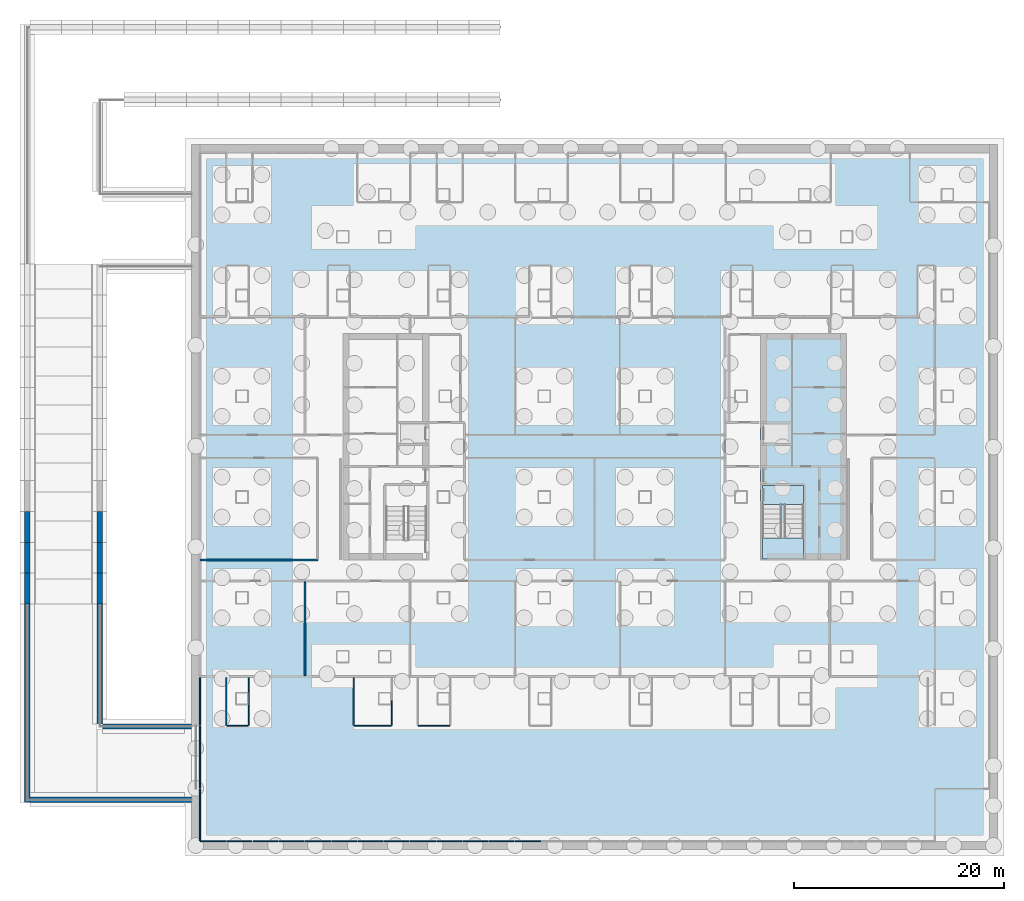
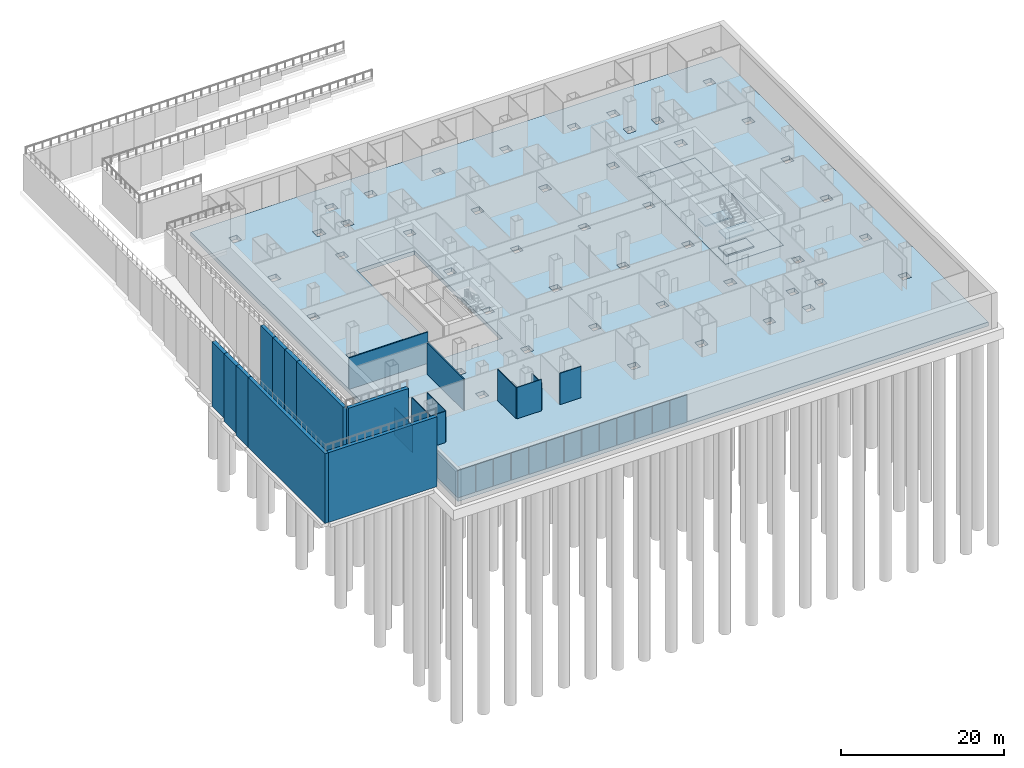
# One storey, part 4 of 17: 35 walls, 5 slabs, 1 element without a shape of its own.
"""IFC4 building model written with IfcOpenShell, lengths in metres."""

from ifc_helpers import new_model, si_unit, direction, frame, frame_2d, origin, place, context, subcontext, project, spatial, polyline, rectangle, outline, extrude, material, layer, layer_set, type_object, element, aggregate, save


model = new_model("IFC4")

# Units and contexts
model_context = context("Model", 3, precision=1e-05, world=origin(), true_north=direction((0.0, 1.0)))
body_context = subcontext(model_context, "Body", "Model", "MODEL_VIEW")
ifc_project = project(units=[si_unit("LENGTHUNIT", "METRE"), si_unit("AREAUNIT", "SQUARE_METRE"), si_unit("VOLUMEUNIT", "CUBIC_METRE"), si_unit("PLANEANGLEUNIT", "RADIAN"), si_unit("MASSUNIT", "GRAM", prefix="KILO")], contexts=[model_context])

# Site, building, storey
site_placement = place(None, origin())
site = spatial("IfcSite", under=ifc_project, at=site_placement, CompositionType="ELEMENT")
building_placement = place(site_placement, origin())
building = spatial("IfcBuilding", under=site, at=building_placement, Name="Cobrizo Arcos Hotel Tower", CompositionType="ELEMENT")
storey_placement = place(building_placement, frame((0.0, 0.0, -10.0)))
storey = spatial("IfcBuildingStorey", under=building, at=storey_placement, Name="B2", CompositionType="ELEMENT", Elevation=-10.0)

# Slabs
ifc_material_1 = material(Name="Concrete f'c 35 MPa", Category="concrete")
ifc_layer_1 = layer(ifc_material_1, 0.60009765625)
ifc_layer_set_1 = layer_set([ifc_layer_1], Name="RC base slab 600 f'c 35 MPa")
slab_type_1 = type_object("IfcSlabType", Name="RC base slab 600 f'c 35 MPa", PredefinedType="BASESLAB", material=ifc_layer_set_1)
slab_1_placement = place(storey_placement, frame((0.0, 0.0, -0.60009765625)))
element("IfcSlab", 1, at=slab_1_placement, inside=storey, type_object=slab_type_1, Name="Floor slab S1, B2, no. 01", PredefinedType="BASESLAB", context=body_context, shape_type="SweptSolid", body=[
    extrude(outline(polyline([(-37.60009765625, -37.60009765625), (-37.60009765625, 28.0), (37.60009765625, 28.0), (37.60009765625, -37.60009765625), (-37.60009765625, -37.60009765625)]), holes=[polyline([(-33.0, -24.60009765625), (-33.0, -23.39990234375), (-34.199951171875, -23.39990234375), (-34.199951171875, -24.60009765625), (-33.0, -24.60009765625)]), polyline([(-20.60009765625, -24.60009765625), (-19.39990234375, -24.60009765625), (-19.39990234375, -23.39990234375), (-20.60009765625, -23.39990234375), (-20.60009765625, -24.60009765625)]), polyline([(-20.60009765625, -20.60009765625), (-19.39990234375, -20.60009765625), (-19.39990234375, -19.39990234375), (-20.60009765625, -19.39990234375), (-20.60009765625, -20.60009765625)]), polyline([(-23.39990234375, -20.60009765625), (-23.39990234375, -19.39990234375), (-24.60009765625, -19.39990234375), (-24.60009765625, -20.60009765625), (-23.39990234375, -20.60009765625)]), polyline([(-34.199951171875, -15.0), (-33.0, -15.0), (-33.0, -13.800048828125), (-34.199951171875, -13.800048828125), (-34.199951171875, -15.0)]), polyline([(-15.0, -15.0), (-13.800048828125, -15.0), (-13.800048828125, -13.800048828125), (-15.0, -13.800048828125), (-15.0, -15.0)]), polyline([(-23.39990234375, -15.0), (-23.39990234375, -13.800048828125), (-24.60009765625, -13.800048828125), (-24.60009765625, -15.0), (-23.39990234375, -15.0)]), polyline([(-15.0, -5.39990234375), (-13.800048828125, -5.39990234375), (-13.800048828125, -4.199951171875), (-15.0, -4.199951171875), (-15.0, -5.39990234375)]), polyline([(-34.199951171875, -5.39990234375), (-33.0, -5.39990234375), (-33.0, -4.199951171875), (-34.199951171875, -4.199951171875), (-34.199951171875, -5.39990234375)]), polyline([(-24.0, -10.800048828125), (-15.800048828125, -10.800048828125), (-15.800048828125, 10.800048828125), (-24.0, 10.800048828125), (-24.0, -10.800048828125)]), polyline([(-34.199951171875, 4.199951171875), (-33.0, 4.199951171875), (-33.0, 5.39990234375), (-34.199951171875, 5.39990234375), (-34.199951171875, 4.199951171875)]), polyline([(-24.60009765625, 13.800048828125), (-23.39990234375, 13.800048828125), (-23.39990234375, 15.0), (-24.60009765625, 15.0), (-24.60009765625, 13.800048828125)]), polyline([(-34.199951171875, 13.800048828125), (-33.0, 13.800048828125), (-33.0, 15.0), (-34.199951171875, 15.0), (-34.199951171875, 13.800048828125)]), polyline([(-13.800048828125, 13.800048828125), (-13.800048828125, 15.0), (-15.0, 15.0), (-15.0, 13.800048828125), (-13.800048828125, 13.800048828125)]), polyline([(-24.60009765625, 19.39990234375), (-23.39990234375, 19.39990234375), (-23.39990234375, 20.60009765625), (-24.60009765625, 20.60009765625), (-24.60009765625, 19.39990234375)]), polyline([(-20.60009765625, 19.39990234375), (-19.39990234375, 19.39990234375), (-19.39990234375, 20.60009765625), (-20.60009765625, 20.60009765625), (-20.60009765625, 19.39990234375)]), polyline([(-34.199951171875, 23.39990234375), (-33.0, 23.39990234375), (-33.0, 24.60009765625), (-34.199951171875, 24.60009765625), (-34.199951171875, 23.39990234375)]), polyline([(-20.60009765625, 23.39990234375), (-19.39990234375, 23.39990234375), (-19.39990234375, 24.60009765625), (-20.60009765625, 24.60009765625), (-20.60009765625, 23.39990234375)]), polyline([(-15.0, -24.60009765625), (-13.800048828125, -24.60009765625), (-13.800048828125, -23.39990234375), (-15.0, -23.39990234375), (-15.0, -24.60009765625)]), polyline([(4.199951171875, -24.60009765625), (5.39990234375, -24.60009765625), (5.39990234375, -23.39990234375), (4.199951171875, -23.39990234375), (4.199951171875, -24.60009765625)]), polyline([(-4.199951171875, -24.60009765625), (-4.199951171875, -23.39990234375), (-5.39990234375, -23.39990234375), (-5.39990234375, -24.60009765625), (-4.199951171875, -24.60009765625)]), polyline([(13.800048828125, -15.0), (15.0, -15.0), (15.0, -13.800048828125), (13.800048828125, -13.800048828125), (13.800048828125, -15.0)]), polyline([(4.199951171875, -15.0), (5.39990234375, -15.0), (5.39990234375, -13.800048828125), (4.199951171875, -13.800048828125), (4.199951171875, -15.0)]), polyline([(-5.39990234375, -15.0), (-4.199951171875, -15.0), (-4.199951171875, -13.800048828125), (-5.39990234375, -13.800048828125), (-5.39990234375, -15.0)]), polyline([(-5.39990234375, -5.39990234375), (-4.199951171875, -5.39990234375), (-4.199951171875, -4.199951171875), (-5.39990234375, -4.199951171875), (-5.39990234375, -5.39990234375)]), polyline([(4.199951171875, -5.39990234375), (5.39990234375, -5.39990234375), (5.39990234375, -4.199951171875), (4.199951171875, -4.199951171875), (4.199951171875, -5.39990234375)]), polyline([(13.340087890625, -5.39990234375), (14.5400390625, -5.39990234375), (14.5400390625, -4.199951171875), (13.340087890625, -4.199951171875), (13.340087890625, -5.39990234375)]), polyline([(-4.199951171875, 4.199951171875), (-4.199951171875, 5.39990234375), (-5.39990234375, 5.39990234375), (-5.39990234375, 4.199951171875), (-4.199951171875, 4.199951171875)]), polyline([(4.199951171875, 4.199951171875), (5.39990234375, 4.199951171875), (5.39990234375, 5.39990234375), (4.199951171875, 5.39990234375), (4.199951171875, 4.199951171875)]), polyline([(-14.85009765625, 4.199951171875), (-13.64990234375, 4.199951171875), (-13.64990234375, 5.39990234375), (-14.85009765625, 5.39990234375), (-14.85009765625, 4.199951171875)]), polyline([(14.5400390625, 4.199951171875), (14.5400390625, 5.39990234375), (13.340087890625, 5.39990234375), (13.340087890625, 4.199951171875), (14.5400390625, 4.199951171875)]), polyline([(-5.39990234375, 13.800048828125), (-4.199951171875, 13.800048828125), (-4.199951171875, 15.0), (-5.39990234375, 15.0), (-5.39990234375, 13.800048828125)]), polyline([(4.199951171875, 13.800048828125), (5.39990234375, 13.800048828125), (5.39990234375, 15.0), (4.199951171875, 15.0), (4.199951171875, 13.800048828125)]), polyline([(-4.199951171875, 23.39990234375), (-4.199951171875, 24.60009765625), (-5.39990234375, 24.60009765625), (-5.39990234375, 23.39990234375), (-4.199951171875, 23.39990234375)]), polyline([(4.199951171875, 23.39990234375), (5.39990234375, 23.39990234375), (5.39990234375, 24.60009765625), (4.199951171875, 24.60009765625), (4.199951171875, 23.39990234375)]), polyline([(-15.0, 23.39990234375), (-13.800048828125, 23.39990234375), (-13.800048828125, 24.60009765625), (-15.0, 24.60009765625), (-15.0, 23.39990234375)]), polyline([(33.0, -24.60009765625), (34.199951171875, -24.60009765625), (34.199951171875, -23.39990234375), (33.0, -23.39990234375), (33.0, -24.60009765625)]), polyline([(13.800048828125, -24.60009765625), (15.0, -24.60009765625), (15.0, -23.39990234375), (13.800048828125, -23.39990234375), (13.800048828125, -24.60009765625)]), polyline([(19.39990234375, -24.60009765625), (20.60009765625, -24.60009765625), (20.60009765625, -23.39990234375), (19.39990234375, -23.39990234375), (19.39990234375, -24.60009765625)]), polyline([(23.39990234375, -20.60009765625), (24.60009765625, -20.60009765625), (24.60009765625, -19.39990234375), (23.39990234375, -19.39990234375), (23.39990234375, -20.60009765625)]), polyline([(20.60009765625, -20.60009765625), (20.60009765625, -19.39990234375), (19.39990234375, -19.39990234375), (19.39990234375, -20.60009765625), (20.60009765625, -20.60009765625)]), polyline([(23.39990234375, -15.0), (24.60009765625, -15.0), (24.60009765625, -13.800048828125), (23.39990234375, -13.800048828125), (23.39990234375, -15.0)]), polyline([(33.0, -15.0), (34.199951171875, -15.0), (34.199951171875, -13.800048828125), (33.0, -13.800048828125), (33.0, -15.0)]), polyline([(33.0, -5.39990234375), (34.199951171875, -5.39990234375), (34.199951171875, -4.199951171875), (33.0, -4.199951171875), (33.0, -5.39990234375)]), polyline([(15.800048828125, -10.800048828125), (24.0, -10.800048828125), (24.0, 10.800048828125), (15.800048828125, 10.800048828125), (15.800048828125, -10.800048828125)]), polyline([(33.0, 4.199951171875), (34.199951171875, 4.199951171875), (34.199951171875, 5.39990234375), (33.0, 5.39990234375), (33.0, 4.199951171875)]), polyline([(13.800048828125, 13.800048828125), (15.0, 13.800048828125), (15.0, 15.0), (13.800048828125, 15.0), (13.800048828125, 13.800048828125)]), polyline([(24.60009765625, 13.800048828125), (24.60009765625, 15.0), (23.39990234375, 15.0), (23.39990234375, 13.800048828125), (24.60009765625, 13.800048828125)]), polyline([(33.0, 13.800048828125), (34.199951171875, 13.800048828125), (34.199951171875, 15.0), (33.0, 15.0), (33.0, 13.800048828125)]), polyline([(19.39990234375, 19.39990234375), (20.60009765625, 19.39990234375), (20.60009765625, 20.60009765625), (19.39990234375, 20.60009765625), (19.39990234375, 19.39990234375)]), polyline([(23.39990234375, 19.39990234375), (24.60009765625, 19.39990234375), (24.60009765625, 20.60009765625), (23.39990234375, 20.60009765625), (23.39990234375, 19.39990234375)]), polyline([(19.39990234375, 23.39990234375), (20.60009765625, 23.39990234375), (20.60009765625, 24.60009765625), (19.39990234375, 24.60009765625), (19.39990234375, 23.39990234375)]), polyline([(33.0, 23.39990234375), (34.199951171875, 23.39990234375), (34.199951171875, 24.60009765625), (33.0, 24.60009765625), (33.0, 23.39990234375)]), polyline([(13.800048828125, 23.39990234375), (15.0, 23.39990234375), (15.0, 24.60009765625), (13.800048828125, 24.60009765625), (13.800048828125, 23.39990234375)])]), origin(), (0.0, 0.0, 1.0), 0.60009765625),
])
ifc_material_2 = material(Name="Concrete f'c 60 MPa", Category="concrete")
ifc_layer_2 = layer(ifc_material_2, 0.60009765625)
ifc_layer_set_2 = layer_set([ifc_layer_2], Name="RC base slab 600 f'c 60 MPa")
slab_type_2 = type_object("IfcSlabType", Name="RC base slab 600 f'c 60 MPa", PredefinedType="BASESLAB", material=ifc_layer_set_2)
slab_2_placement = place(storey_placement, frame((0.0, 0.0, -0.60009765625)))
element("IfcSlab", 2, at=slab_2_placement, inside=storey, type_object=slab_type_2, Name="Core floor slab CS1, east core, B2", PredefinedType="BASESLAB", context=body_context, shape_type="SweptSolid", body=[
    extrude(outline(polyline([(24.0, -10.800048828125), (24.0, 10.800048828125), (15.800048828125, 10.800048828125), (15.800048828125, -10.800048828125), (24.0, -10.800048828125)])), origin(), (0.0, 0.0, 1.0), 0.60009765625),
])

# Stair, slabs
ifc_material_3 = material(Name="Concrete f'c 40 MPa", Category="concrete")
stair_type = type_object("IfcStairType", Name="Exit stair", PredefinedType="HALF_TURN_STAIR", material=ifc_material_3)
stair_placement = place(storey_placement, origin())
stair = element("IfcStair", 3, at=stair_placement, inside=storey, type_object=stair_type, Name="B2 Exit stair ST-E", PredefinedType="HALF_TURN_STAIR")
ifc_layer_3 = layer(ifc_material_3, 0.199951171875)
ifc_layer_set_3 = layer_set([ifc_layer_3], Name="Stair landing")
slab_type_3 = type_object("IfcSlabType", Name="Stair landing", PredefinedType="LANDING", material=ifc_layer_set_3)
slab_3_placement = place(storey_placement, frame((0.0, 0.0, 1.050048828125)))
slab_3 = element("IfcSlab", 4, at=slab_3_placement, type_object=slab_type_3, Name="ST-E landing 1", PredefinedType="LANDING", context=body_context, shape_type="SweptSolid", body=[
    extrude(outline(polyline([(16.0, -8.719970703125), (16.0, -10.699951171875), (19.89990234375, -10.699951171875), (19.89990234375, -8.719970703125), (16.0, -8.719970703125)])), origin(), (0.0, 0.0, 1.0), 0.199951171875),
])
slab_4_placement = place(storey_placement, frame((0.0, 0.0, 2.300048828125)))
slab_4 = element("IfcSlab", 5, at=slab_4_placement, type_object=slab_type_3, Name="ST-E landing 2", PredefinedType="LANDING", context=body_context, shape_type="SweptSolid", body=[
    extrude(outline(polyline([(16.0, -3.699951171875), (16.0, -5.5), (19.89990234375, -5.5), (19.89990234375, -3.699951171875), (16.0, -3.699951171875)])), origin(), (0.0, 0.0, 1.0), 0.199951171875),
])
slab_5_placement = place(storey_placement, frame((0.0, 0.0, 3.550048828125)))
slab_5 = element("IfcSlab", 6, at=slab_5_placement, type_object=slab_type_3, Name="ST-E landing 3", PredefinedType="LANDING", context=body_context, shape_type="SweptSolid", body=[
    extrude(outline(polyline([(16.0, -8.719970703125), (16.0, -10.699951171875), (19.89990234375, -10.699951171875), (19.89990234375, -8.719970703125), (16.0, -8.719970703125)])), origin(), (0.0, 0.0, 1.0), 0.199951171875),
])
aggregate(stair, [slab_3, slab_4, slab_5])

# Walls
ifc_material_4 = material(Name="Gypsum board partition")
ifc_layer_4 = layer(ifc_material_4, 0.14990234375)
ifc_layer_set_4 = layer_set([ifc_layer_4], Name="Corridor wall EI 60 150")
wall_type_1 = type_object("IfcWallType", Name="Corridor wall EI 60 150", PredefinedType="PARTITIONING", material=ifc_layer_set_4)
wall_1_placement = place(storey_placement, frame((-37.60009765625, -10.800048828125, 0.0), z_axis=(0.0, 0.0, 1.0), x_axis=(1.0, 0.0, 0.0)))
element("IfcWall", 7, at=wall_1_placement, inside=storey, type_object=wall_type_1, Name="Partition 060", PredefinedType="PARTITIONING", context=body_context, shape_type="SweptSolid", body=[
    extrude(rectangle(XDim=11.2001953125, YDim=0.14990234375, at=frame_2d((5.60009765625, 0.0))), origin(), (0.0, 0.0, 1.0), 4.699951171875),
])
wall_2_placement = place(storey_placement, frame((-27.60009765625, -21.824951171875, 0.0), z_axis=(0.0, 0.0, 1.0), x_axis=(0.0, 1.0, 0.0)))
element("IfcWall", 8, at=wall_2_placement, inside=storey, type_object=wall_type_1, Name="Partition 154", PredefinedType="PARTITIONING", context=body_context, shape_type="SweptSolid", body=[
    extrude(rectangle(XDim=8.949951171875, YDim=0.14990234375, at=frame_2d((4.47509765625, 0.0))), origin(), (0.0, 0.0, 1.0), 4.699951171875),
])
ifc_layer_5 = layer(ifc_material_4, 0.10009765625)
ifc_layer_set_5 = layer_set([ifc_layer_5], Name="Partition EI 30 100")
wall_type_2 = type_object("IfcWallType", Name="Partition EI 30 100", PredefinedType="PARTITIONING", material=ifc_layer_set_5)
wall_3_placement = place(storey_placement, frame((-37.60009765625, -37.60009765625, 0.0), z_axis=(0.0, 0.0, 1.0), x_axis=(1.0, 0.0, 0.0)))
element("IfcWall", 9, at=wall_3_placement, inside=storey, type_object=wall_type_2, Name="Partition 001", PredefinedType="PARTITIONING", context=body_context, shape_type="SweptSolid", body=[
    extrude(rectangle(XDim=2.4501953125, YDim=0.10009765625, at=frame_2d((1.22509765625, 0.0))), origin(), (0.0, 0.0, 1.0), 4.077880859375),
])
for number, where, z_axis, x_axis, name in (
    (10, (-35.050048828125, -37.60009765625, 0.0), (0.0, 0.0, 1.0), (1.0, 0.0, 0.0), "Partition 002"),
    (11, (-32.550048828125, -37.60009765625, 0.0), (0.0, 0.0, 1.0), (1.0, 0.0, 0.0), "Partition 003"),
    (12, (-30.050048828125, -37.60009765625, 0.0), (0.0, 0.0, 1.0), (1.0, 0.0, 0.0), "Partition 004"),
    (13, (-27.550048828125, -37.60009765625, 0.0), (0.0, 0.0, 1.0), (1.0, 0.0, 0.0), "Partition 005"),
    (14, (-25.050048828125, -37.60009765625, 0.0), (0.0, 0.0, 1.0), (1.0, 0.0, 0.0), "Partition 006"),
    (15, (-22.550048828125, -37.60009765625, 0.0), (0.0, 0.0, 1.0), (1.0, 0.0, 0.0), "Partition 007"),
    (16, (-20.050048828125, -37.60009765625, 0.0), (0.0, 0.0, 1.0), (1.0, 0.0, 0.0), "Partition 008"),
    (17, (-17.550048828125, -37.60009765625, 0.0), (0.0, 0.0, 1.0), (1.0, 0.0, 0.0), "Partition 009"),
    (18, (-15.050048828125, -37.60009765625, 0.0), (0.0, 0.0, 1.0), (1.0, 0.0, 0.0), "Partition 010"),
    (19, (-12.550048828125, -37.60009765625, 0.0), (0.0, 0.0, 1.0), (1.0, 0.0, 0.0), "Partition 011"),
    (20, (-10.050048828125, -37.60009765625, 0.0), (0.0, 0.0, 1.0), (1.0, 0.0, 0.0), "Partition 012"),
    (21, (-7.550048828125, -37.60009765625, 0.0), (0.0, 0.0, 1.0), (1.0, 0.0, 0.0), "Partition 013"),
):
    element("IfcWall", number, at=place(storey_placement, frame(where, z_axis=z_axis, x_axis=x_axis)), inside=storey, type_object=wall_type_2, Name=name, PredefinedType="PARTITIONING", context=body_context, shape_type="SweptSolid", body=[
        extrude(rectangle(XDim=2.400146484375, YDim=0.10009765625, at=frame_2d((1.2001953125, 0.0))), origin(), (0.0, 0.0, 1.0), 4.077880859375),
    ])
wall_4_placement = place(storey_placement, frame((-35.050048828125, -26.60009765625, 0.0), z_axis=(0.0, 0.0, 1.0), x_axis=(1.0, 0.0, 0.0)))
element("IfcWall", 22, at=wall_4_placement, inside=storey, type_object=wall_type_2, Name="Partition 030", PredefinedType="PARTITIONING", context=body_context, shape_type="SweptSolid", body=[
    extrude(rectangle(XDim=2.050048828125, YDim=0.10009765625, at=frame_2d((1.02490234375, 0.0))), origin(), (0.0, 0.0, 1.0), 4.699951171875),
])
wall_5_placement = place(storey_placement, frame((-22.89990234375, -26.60009765625, 0.0), z_axis=(0.0, 0.0, 1.0), x_axis=(1.0, 0.0, 0.0)))
element("IfcWall", 23, at=wall_5_placement, inside=storey, type_object=wall_type_2, Name="Partition 031", PredefinedType="PARTITIONING", context=body_context, shape_type="SweptSolid", body=[
    extrude(rectangle(XDim=3.5, YDim=0.10009765625, at=frame_2d((1.75, 0.0))), origin(), (0.0, 0.0, 1.0), 4.699951171875),
])
wall_6_placement = place(storey_placement, frame((-16.800048828125, -26.60009765625, 0.0), z_axis=(0.0, 0.0, 1.0), x_axis=(1.0, 0.0, 0.0)))
element("IfcWall", 24, at=wall_6_placement, inside=storey, type_object=wall_type_2, Name="Partition 032", PredefinedType="PARTITIONING", context=body_context, shape_type="SweptSolid", body=[
    extrude(rectangle(XDim=3.0, YDim=0.10009765625, at=frame_2d((1.5, 0.0))), origin(), (0.0, 0.0, 1.0), 4.699951171875),
])
wall_7_placement = place(storey_placement, frame((-37.60009765625, -37.550048828125, 0.0), z_axis=(0.0, 0.0, 1.0), x_axis=(0.0, 1.0, 0.0)))
element("IfcWall", 25, at=wall_7_placement, inside=storey, type_object=wall_type_2, Name="Partition 141", PredefinedType="PARTITIONING", context=body_context, shape_type="SweptSolid", body=[
    extrude(rectangle(XDim=4.900146484375, YDim=0.10009765625, at=frame_2d((2.4501953125, 0.0))), origin(), (0.0, 0.0, 1.0), 4.077880859375),
])
wall_8_placement = place(storey_placement, frame((-37.60009765625, -32.550048828125, 0.0), z_axis=(0.0, 0.0, 1.0), x_axis=(0.0, 1.0, 0.0)))
element("IfcWall", 26, at=wall_8_placement, inside=storey, type_object=wall_type_2, Name="Partition 142", PredefinedType="PARTITIONING", context=body_context, shape_type="SweptSolid", body=[
    extrude(rectangle(XDim=5.900146484375, YDim=0.10009765625, at=frame_2d((2.9501953125, 0.0))), origin(), (0.0, 0.0, 1.0), 4.077880859375),
])
wall_9_placement = place(storey_placement, frame((-37.60009765625, -26.550048828125, 0.0), z_axis=(0.0, 0.0, 1.0), x_axis=(0.0, 1.0, 0.0)))
element("IfcWall", 27, at=wall_9_placement, inside=storey, type_object=wall_type_2, Name="Partition 143", PredefinedType="PARTITIONING", context=body_context, shape_type="SweptSolid", body=[
    extrude(rectangle(XDim=4.525146484375, YDim=0.10009765625, at=frame_2d((2.2626953125, 0.0))), origin(), (0.0, 0.0, 1.0), 4.077880859375),
])
for number, where, z_axis, x_axis, name in (
    (28, (-35.10009765625, -26.550048828125, 0.0), (0.0, 0.0, 1.0), (0.0, 1.0, 0.0), "Partition 148"),
    (29, (-32.949951171875, -26.550048828125, 0.0), (0.0, 0.0, 1.0), (0.0, 1.0, 0.0), "Partition 151"),
    (30, (-22.949951171875, -26.550048828125, 0.0), (0.0, 0.0, 1.0), (0.0, 1.0, 0.0), "Partition 160"),
):
    element("IfcWall", number, at=place(storey_placement, frame(where, z_axis=z_axis, x_axis=x_axis)), inside=storey, type_object=wall_type_2, Name=name, PredefinedType="PARTITIONING", context=body_context, shape_type="SweptSolid", body=[
        extrude(rectangle(XDim=4.525146484375, YDim=0.10009765625, at=frame_2d((2.2626953125, 0.0))), origin(), (0.0, 0.0, 1.0), 4.699951171875),
    ])
wall_10_placement = place(storey_placement, frame((-19.35009765625, -26.550048828125, 0.0), z_axis=(0.0, 0.0, 1.0), x_axis=(0.0, 1.0, 0.0)))
element("IfcWall", 31, at=wall_10_placement, inside=storey, type_object=wall_type_2, Name="Partition 164", PredefinedType="PARTITIONING", context=body_context, shape_type="SweptSolid", body=[
    extrude(rectangle(XDim=2.39599609375, YDim=0.10009765625, at=frame_2d((1.197998046875, 0.0))), origin(), (0.0, 0.0, 1.0), 4.0830078125),
])
ifc_layer_6 = layer(ifc_material_3, 0.5)
ifc_layer_set_6 = layer_set([ifc_layer_6], Name="Ramp retaining wall 500 f'c 40")
wall_type_3 = type_object("IfcWallType", Name="Ramp retaining wall 500 f'c 40", PredefinedType="SOLIDWALL", material=ifc_layer_set_6)
for number, where, z_axis, x_axis, name in (
    (32, (-54.050048828125, -15.0, -0.300048828125), (0.0, 0.0, 1.0), (0.0, 1.0, 0.0), "Ramp B retaining wall west 1"),
    (33, (-47.14990234375, -15.0, -0.300048828125), (0.0, 0.0, 1.0), (0.0, 1.0, 0.0), "Ramp B retaining wall east 1"),
):
    element("IfcWall", number, at=place(storey_placement, frame(where, z_axis=z_axis, x_axis=x_axis)), inside=storey, type_object=wall_type_3, Name=name, PredefinedType="SOLIDWALL", context=body_context, shape_type="SweptSolid", body=[
        extrude(rectangle(XDim=2.945556640625, YDim=0.5, at=frame_2d((1.47265625, 0.0))), origin(), (0.0, 0.0, 1.0), 10.449951171875),
    ])
for number, where, z_axis, x_axis, name in (
    (34, (-54.050048828125, -12.054443359375, -0.009033203125), (0.0, 0.0, 1.0), (0.0, 1.0, 0.0), "Ramp B retaining wall west 2"),
    (35, (-47.14990234375, -12.054443359375, -0.009033203125), (0.0, 0.0, 1.0), (0.0, 1.0, 0.0), "Ramp B retaining wall east 2"),
):
    element("IfcWall", number, at=place(storey_placement, frame(where, z_axis=z_axis, x_axis=x_axis)), inside=storey, type_object=wall_type_3, Name=name, PredefinedType="SOLIDWALL", context=body_context, shape_type="SweptSolid", body=[
        extrude(rectangle(XDim=2.9453125, YDim=0.5, at=frame_2d((1.47265625, 0.0))), origin(), (0.0, 0.0, 1.0), 10.158935546875),
    ])
for number, where, z_axis, x_axis, name in (
    (36, (-54.050048828125, -9.109130859375, 0.481689453125), (0.0, 0.0, 1.0), (0.0, 1.0, 0.0), "Ramp B retaining wall west 3"),
    (37, (-47.14990234375, -9.109130859375, 0.481689453125), (0.0, 0.0, 1.0), (0.0, 1.0, 0.0), "Ramp B retaining wall east 3"),
):
    element("IfcWall", number, at=place(storey_placement, frame(where, z_axis=z_axis, x_axis=x_axis)), inside=storey, type_object=wall_type_3, Name=name, PredefinedType="SOLIDWALL", context=body_context, shape_type="SweptSolid", body=[
        extrude(rectangle(XDim=2.945556640625, YDim=0.5, at=frame_2d((1.47265625, 0.0))), origin(), (0.0, 0.0, 1.0), 9.668212890625),
    ])
wall_11_placement = place(storey_placement, frame((-54.050048828125, -33.89990234375, -0.300048828125), z_axis=(0.0, 0.0, 1.0), x_axis=(0.0, 1.0, 0.0)))
element("IfcWall", 38, at=wall_11_placement, inside=storey, type_object=wall_type_3, Name="Ramp retaining wall B west b2", PredefinedType="SOLIDWALL", context=body_context, shape_type="SweptSolid", body=[
    extrude(rectangle(XDim=18.89990234375, YDim=0.5, at=frame_2d((9.449951171875, 0.0))), origin(), (0.0, 0.0, 1.0), 10.449951171875),
])
wall_12_placement = place(storey_placement, frame((-47.14990234375, -26.39990234375, -0.300048828125), z_axis=(0.0, 0.0, 1.0), x_axis=(0.0, 1.0, 0.0)))
element("IfcWall", 39, at=wall_12_placement, inside=storey, type_object=wall_type_3, Name="Ramp retaining wall B east b2", PredefinedType="SOLIDWALL", context=body_context, shape_type="SweptSolid", body=[
    extrude(rectangle(XDim=11.39990234375, YDim=0.5, at=frame_2d((5.699951171875, 0.0))), origin(), (0.0, 0.0, 1.0), 10.449951171875),
])
wall_13_placement = place(storey_placement, frame((-53.800048828125, -33.64990234375, -0.300048828125), z_axis=(0.0, 0.0, 1.0), x_axis=(1.0, 0.0, 0.0)))
element("IfcWall", 40, at=wall_13_placement, inside=storey, type_object=wall_type_3, Name="Ramp retaining wall B2 south", PredefinedType="SOLIDWALL", context=body_context, shape_type="SweptSolid", body=[
    extrude(rectangle(XDim=15.400146484375, YDim=0.5, at=frame_2d((7.7001953125, 0.0))), origin(), (0.0, 0.0, 1.0), 10.449951171875),
])
wall_14_placement = place(storey_placement, frame((-46.89990234375, -26.64990234375, -0.300048828125), z_axis=(0.0, 0.0, 1.0), x_axis=(1.0, 0.0, 0.0)))
element("IfcWall", 41, at=wall_14_placement, inside=storey, type_object=wall_type_3, Name="Ramp retaining wall B2 north", PredefinedType="SOLIDWALL", context=body_context, shape_type="SweptSolid", body=[
    extrude(rectangle(XDim=8.5, YDim=0.5, at=frame_2d((4.25, 0.0))), origin(), (0.0, 0.0, 1.0), 10.449951171875),
])

save(model, "model.ifc")
